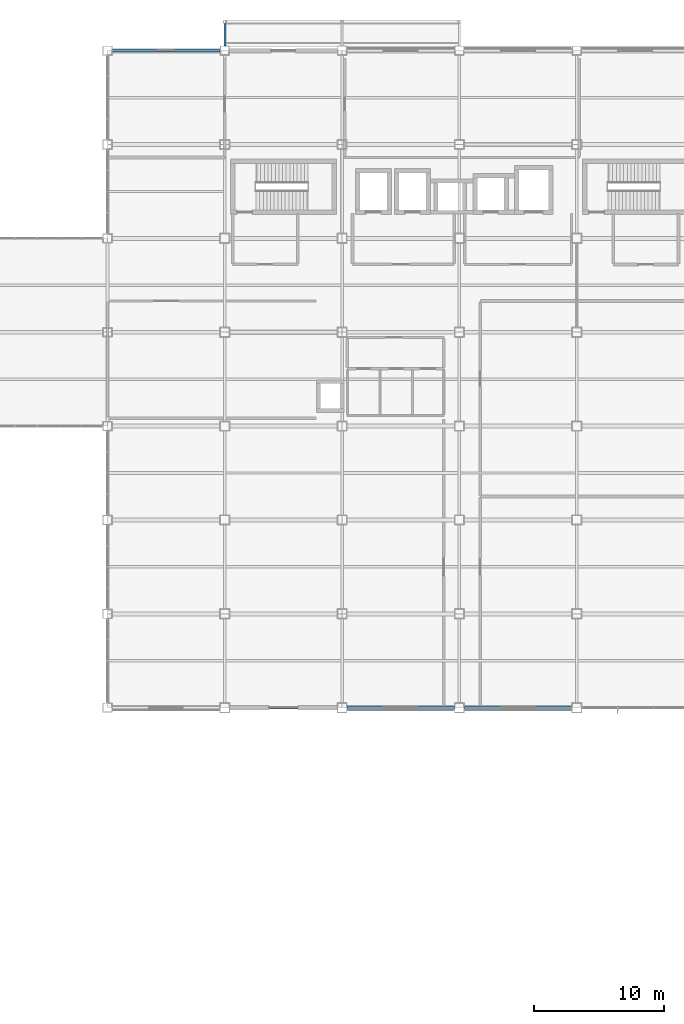
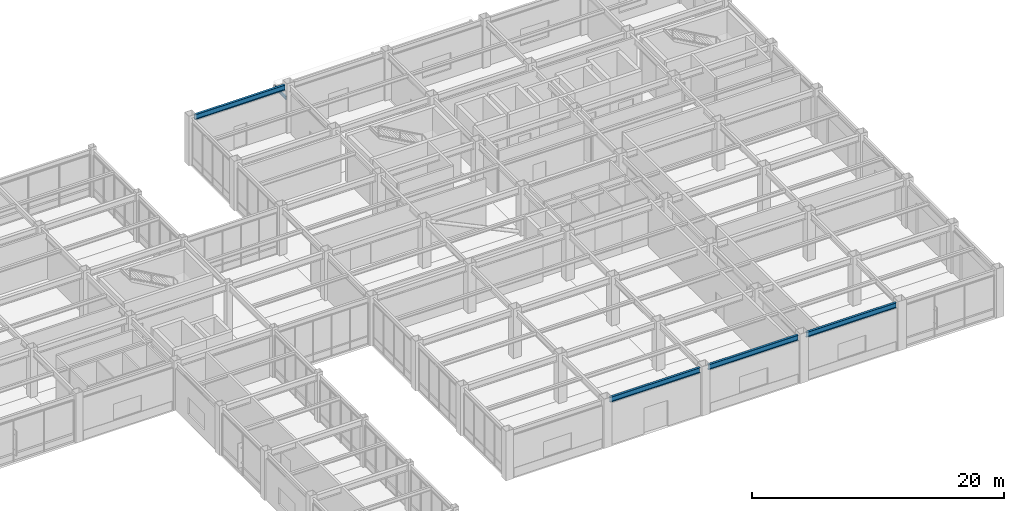
# One storey, part 74 of 112: 5 beams.
"""IFC4 building model written with IfcOpenShell, lengths in metres."""

from ifc_helpers import new_model, si_unit, direction, frame, origin, origin_2d, place, context, subcontext, project, spatial, i_section, extrude, material, material_profile, profile_set, type_object, element, save


model = new_model("IFC4")

# Units and contexts
model_context = context("Model", 3, precision=1e-05, world=origin(), true_north=direction((0.0, 1.0)))
body_context = subcontext(model_context, "Body", "Model", "MODEL_VIEW")
ifc_project = project(units=[si_unit("LENGTHUNIT", "METRE"), si_unit("AREAUNIT", "SQUARE_METRE"), si_unit("VOLUMEUNIT", "CUBIC_METRE"), si_unit("PLANEANGLEUNIT", "RADIAN"), si_unit("MASSUNIT", "GRAM", prefix="KILO")], contexts=[model_context])

# Site, building, storey
site_placement = place(None, origin())
site = spatial("IfcSite", under=ifc_project, at=site_placement, CompositionType="ELEMENT")
building_placement = place(site_placement, origin())
building = spatial("IfcBuilding", under=site, at=building_placement, Name="Kazanami Central Library", CompositionType="ELEMENT")
storey_placement = place(building_placement, origin())
storey = spatial("IfcBuildingStorey", under=building, at=storey_placement, Name="L01", CompositionType="ELEMENT", Elevation=0.0)

# Beams
ifc_material = material(Name="Steel SN490B (325 MPa)", Category="steel")
ifc_material_profile_1 = material_profile(ifc_material, i_section(OverallWidth=0.14990234375, OverallDepth=0.300048828125, WebThickness=0.006591796875, FlangeThickness=0.009033203125, at=origin_2d()), Name="H-300x150x6.5x9")
ifc_profile_set_1 = profile_set([ifc_material_profile_1], Name="Steel SN490B (325 MPa)")
beam_type_1 = type_object("IfcBeamType", Name="BM-CAN-300", PredefinedType="SPANDREL", material=ifc_profile_set_1)
beam_1_placement = place(storey_placement, frame((126.0, 93.949951171875, 2.89990234375), z_axis=(0.0, 1.0, 0.0), x_axis=(-1.0, 0.0, 0.0)))
element("IfcBeam", 1, at=beam_1_placement, inside=storey, type_object=beam_type_1, Name="Canopy Beam CAN-V2-NORTH X=126", PredefinedType="SPANDREL", context=body_context, shape_type="SweptSolid", body=[
    extrude(i_section(OverallWidth=0.14990234375, OverallDepth=0.300048828125, WebThickness=0.006591796875, FlangeThickness=0.009033203125, at=origin_2d()), origin(), (0.0, 0.0, 1.0), 1.75),
])
ifc_material_profile_2 = material_profile(ifc_material, i_section(OverallWidth=0.199951171875, OverallDepth=0.5, WebThickness=0.010009765625, FlangeThickness=0.01611328125, at=origin_2d()), Name="H-500x200x10x16")
ifc_profile_set_2 = profile_set([ifc_material_profile_2], Name="Steel SN490B (325 MPa)")
beam_type_2 = type_object("IfcBeamType", Name="BM-SP-1", PredefinedType="SPANDREL", material=ifc_profile_set_2)
for number, where, z_axis, x_axis, name in (
    (2, (126.373046875, 43.199951171875, 4.304931640625), (1.0, 0.0, 0.0), (0.0, 1.0, 0.0), "Girder SP-1 L01 G/15-16"),
    (3, (135.373046875, 43.199951171875, 4.304931640625), (1.0, 0.0, 0.0), (0.0, 1.0, 0.0), "Girder SP-1 L01 G/16-17"),
    (4, (144.373046875, 43.199951171875, 4.304931640625), (1.0, 0.0, 0.0), (0.0, 1.0, 0.0), "Girder SP-1 L01 G/17-18"),
):
    element("IfcBeam", number, at=place(storey_placement, frame(where, z_axis=z_axis, x_axis=x_axis)), inside=storey, type_object=beam_type_2, Name=name, PredefinedType="SPANDREL", context=body_context, shape_type="SweptSolid", body=[
        extrude(i_section(OverallWidth=0.199951171875, OverallDepth=0.5, WebThickness=0.010009765625, FlangeThickness=0.01611328125, at=origin_2d()), origin(), (0.0, 0.0, 1.0), 8.25390625),
    ])
beam_2_placement = place(storey_placement, frame((117.347900390625, 93.60009765625, 4.304931640625), z_axis=(1.0, 0.0, 0.0), x_axis=(0.0, 1.0, 0.0)))
element("IfcBeam", 5, at=beam_2_placement, inside=storey, type_object=beam_type_2, Name="Girder SP-1 L01 O/14-15", PredefinedType="SPANDREL", context=body_context, shape_type="SweptSolid", body=[
    extrude(i_section(OverallWidth=0.199951171875, OverallDepth=0.5, WebThickness=0.010009765625, FlangeThickness=0.01611328125, at=origin_2d()), origin(), (0.0, 0.0, 1.0), 8.30419921875),
])

save(model, "model.ifc")
